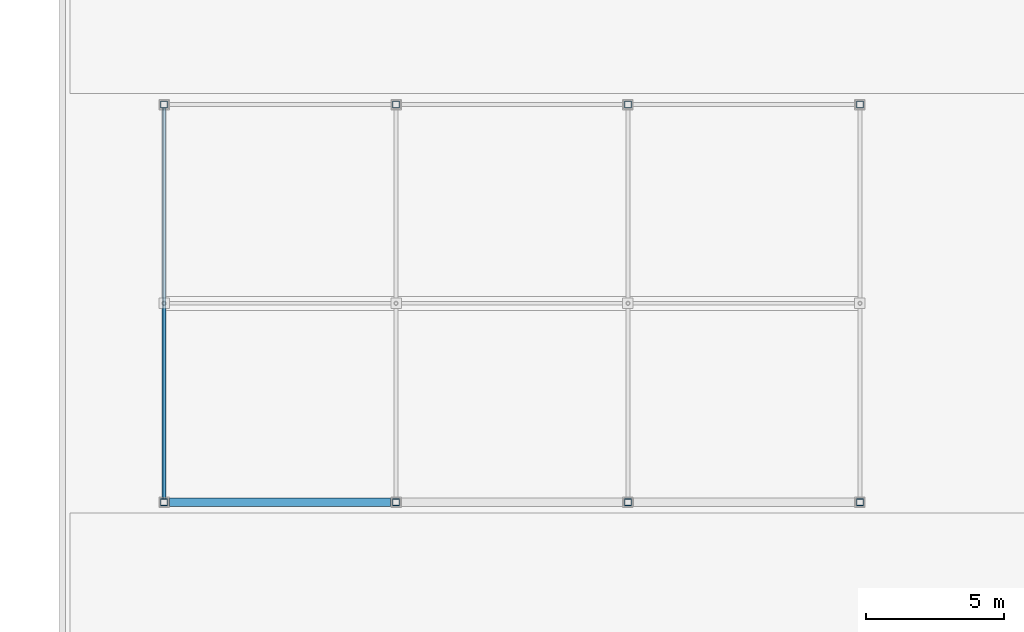
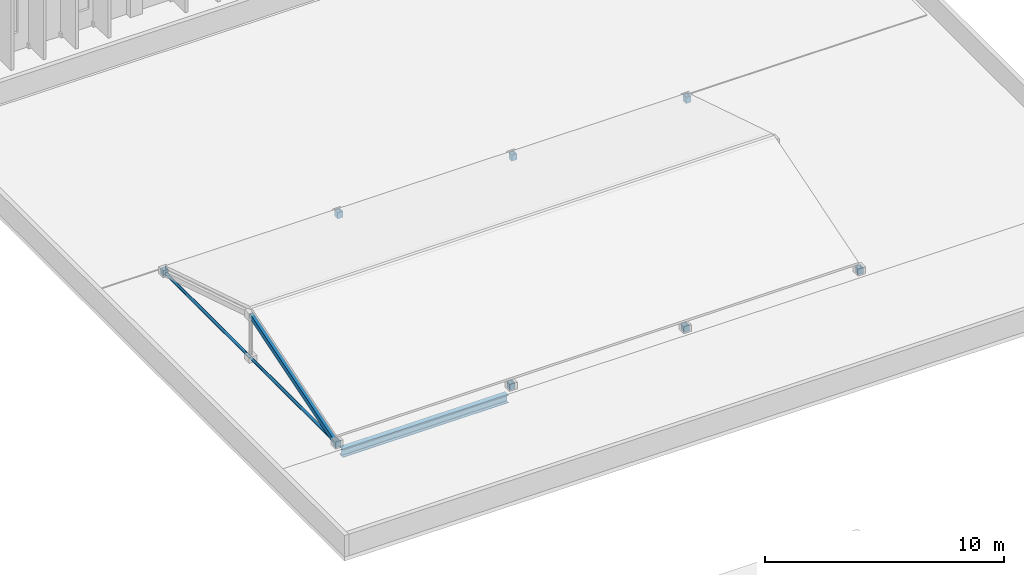
# One storey, part 2 of 16: 8 columns, 2 members, 1 beam.
"""IFC4 building model written with IfcOpenShell, lengths in metres."""

from ifc_helpers import new_model, si_unit, direction, frame, origin, origin_2d, place, context, subcontext, project, spatial, hollow_rectangle, hollow_circle, i_section, extrude, material, material_profile, profile_set, type_object, element, save


model = new_model("IFC4")

# Units and contexts
model_context = context("Model", 3, precision=1e-05, world=origin(), true_north=direction((0.0, 1.0)))
body_context = subcontext(model_context, "Body", "Model", "MODEL_VIEW")
ifc_project = project(units=[si_unit("LENGTHUNIT", "METRE"), si_unit("AREAUNIT", "SQUARE_METRE"), si_unit("VOLUMEUNIT", "CUBIC_METRE"), si_unit("PLANEANGLEUNIT", "RADIAN"), si_unit("MASSUNIT", "GRAM", prefix="KILO")], contexts=[model_context])

# Site, building, storey
site_placement = place(None, origin())
site = spatial("IfcSite", under=ifc_project, at=site_placement, CompositionType="ELEMENT")
building_placement = place(site_placement, origin())
building = spatial("IfcBuilding", under=site, at=building_placement, Name="Kenerak Square Central Library", CompositionType="ELEMENT")
storey_placement = place(building_placement, frame((0.0, 0.0, 27.840087890625)))
storey = spatial("IfcBuildingStorey", under=building, at=storey_placement, Name="L06", CompositionType="ELEMENT", Elevation=27.840087890625)

# Columns
ifc_material = material(Name="Steel S355", Category="steel")
ifc_material_profile_1 = material_profile(ifc_material, hollow_rectangle(XDim=0.25, YDim=0.25, WallThickness=0.010009765625, at=origin_2d()), Name="SHS 250x250x10.0")
ifc_profile_set_1 = profile_set([ifc_material_profile_1], Name="Steel S355")
column_type = type_object("IfcColumnType", Name="Lantern Post C-14 SHS 250x250x10 S355", PredefinedType="COLUMN", material=ifc_profile_set_1)
for number, where, z_axis, x_axis, name in (
    (1, (75.199951171875, 60.0, 0.0), (0.0, 0.0, 1.0), (1.0, 0.0, 0.0), "Lantern Steel Post C-14 1-60"),
    (2, (75.199951171875, 74.39990234375, 0.0), (0.0, 0.0, 1.0), (1.0, 0.0, 0.0), "Lantern Steel Post C-14 1-74"),
    (3, (83.60009765625, 60.0, 0.0), (0.0, 0.0, 1.0), (1.0, 0.0, 0.0), "Lantern Steel Post C-14 2-60"),
    (4, (83.60009765625, 74.39990234375, 0.0), (0.0, 0.0, 1.0), (1.0, 0.0, 0.0), "Lantern Steel Post C-14 2-74"),
    (5, (92.0, 60.0, 0.0), (0.0, 0.0, 1.0), (1.0, 0.0, 0.0), "Lantern Steel Post C-14 3-60"),
    (6, (92.0, 74.39990234375, 0.0), (0.0, 0.0, 1.0), (1.0, 0.0, 0.0), "Lantern Steel Post C-14 3-74"),
    (7, (100.39990234375, 60.0, 0.0), (0.0, 0.0, 1.0), (1.0, 0.0, 0.0), "Lantern Steel Post C-14 4-60"),
    (8, (100.39990234375, 74.39990234375, 0.0), (0.0, 0.0, 1.0), (1.0, 0.0, 0.0), "Lantern Steel Post C-14 4-74"),
):
    element("IfcColumn", number, at=place(storey_placement, frame(where, z_axis=z_axis, x_axis=x_axis)), inside=storey, type_object=column_type, Name=name, PredefinedType="COLUMN", context=body_context, shape_type="SweptSolid", body=[
        extrude(hollow_rectangle(XDim=0.25, YDim=0.25, WallThickness=0.010009765625, at=origin_2d()), origin(), (0.0, 0.0, 1.0), 0.309814453125),
    ])

# Beam
ifc_material_profile_2 = material_profile(ifc_material, i_section(OverallWidth=0.300048828125, OverallDepth=0.39990234375, WebThickness=0.013427734375, FlangeThickness=0.02392578125, FilletRadius=0.027099609375, at=origin_2d()), Name="HEB 400")
ifc_profile_set_2 = profile_set([ifc_material_profile_2], Name="Steel S355")
beam_type = type_object("IfcBeamType", Name="Atrium Edge Steel Beam SB-05 HEB 400 S355", PredefinedType="BEAM", material=ifc_profile_set_2)
beam_placement = place(storey_placement, frame((75.39990234375, 60.0, -0.400146484375), z_axis=(1.0, 0.0, 0.0), x_axis=(0.0, 1.0, 0.0)))
element("IfcBeam", 9, at=beam_placement, inside=storey, type_object=beam_type, Name="Atrium Lantern Edge Beam SB-05 01", PredefinedType="BEAM", context=body_context, shape_type="SweptSolid", body=[
    extrude(i_section(OverallWidth=0.300048828125, OverallDepth=0.39990234375, WebThickness=0.013427734375, FlangeThickness=0.02392578125, FilletRadius=0.027099609375, at=origin_2d()), origin(), (0.0, 0.0, 1.0), 8.0),
])

# Members
ifc_material_profile_3 = material_profile(ifc_material, hollow_rectangle(XDim=0.14990234375, YDim=0.25, WallThickness=0.010009765625, at=origin_2d()), Name="RHS 250x150x10.0")
ifc_profile_set_3 = profile_set([ifc_material_profile_3], Name="Steel S355")
member_type_1 = type_object("IfcMemberType", Name="Lantern Roof Rafter GM-05 RHS 250x150x10 S355", PredefinedType="RAFTER", material=ifc_profile_set_3)
member_1_placement = place(storey_placement, frame((75.199951171875, 60.1201171875, 0.10986328125), z_axis=(0.0, 0.954958640858, 0.296738932818), x_axis=(-1.0, 0.0, 0.0)))
element("IfcMember", 10, at=member_1_placement, inside=storey, type_object=member_type_1, Name="Atrium Lantern Roof Rafter 0271", PredefinedType="RAFTER", context=body_context, shape_type="SweptSolid", body=[
    extrude(hollow_rectangle(XDim=0.14990234375, YDim=0.25, WallThickness=0.010009765625, at=origin_2d()), origin(), (0.0, 0.0, 1.0), 7.413818359375),
])
ifc_material_profile_4 = material_profile(ifc_material, hollow_circle(Radius=0.06982421875, WallThickness=0.00634765625, at=origin_2d()), Name="CHS 139.7x6.3")
ifc_profile_set_4 = profile_set([ifc_material_profile_4], Name="Steel S355")
member_type_2 = type_object("IfcMemberType", Name="Lantern Tie Strut LT-01 CHS 139.7x6.3 S355", PredefinedType="STRUT", material=ifc_profile_set_4)
member_2_placement = place(storey_placement, frame((75.199951171875, 60.1201171875, 0.10986328125), z_axis=(0.0, 1.0, 0.0), x_axis=(-1.0, 0.0, 0.0)))
element("IfcMember", 11, at=member_2_placement, inside=storey, type_object=member_type_2, Name="Atrium Lantern Tie Strut 0273", PredefinedType="STRUT", context=body_context, shape_type="SweptSolid", body=[
    extrude(hollow_circle(Radius=0.06982421875, WallThickness=0.00634765625, at=origin_2d()), origin(), (0.0, 0.0, 1.0), 14.159912109375),
])

save(model, "model.ifc")
